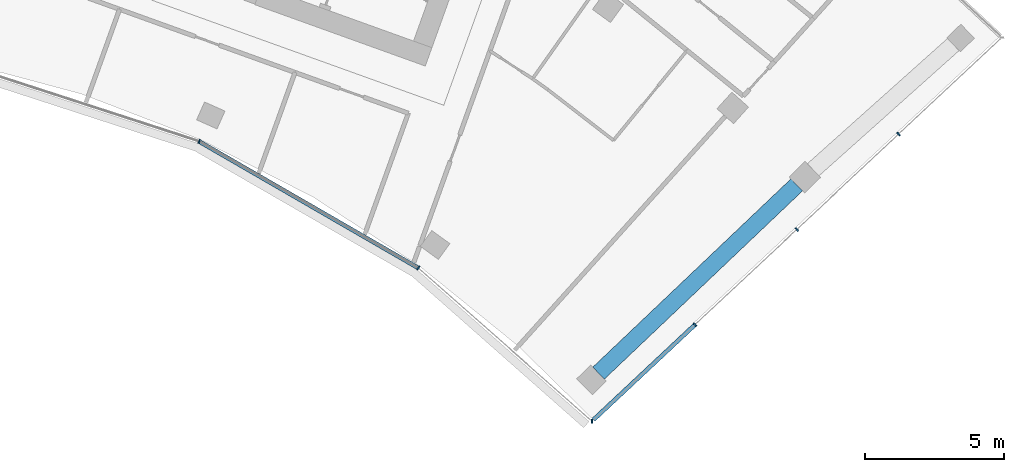
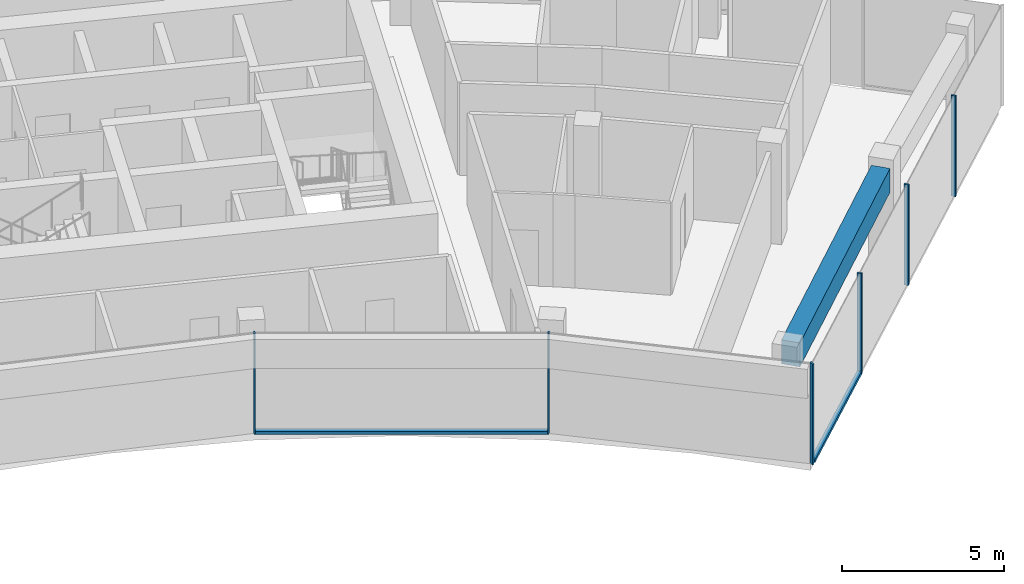
# One storey, part 8 of 19: 8 members, 1 beam, 2 elements without a shape of their own.
"""IFC4 building model written with IfcOpenShell, lengths in metres."""

from ifc_helpers import new_model, si_unit, direction, frame, origin, origin_2d, place, context, subcontext, project, spatial, rectangle, extrude, material, layer, layer_set, material_profile, profile_set, type_object, element, aggregate, save


model = new_model("IFC4")

# Units and contexts
model_context = context("Model", 3, precision=1e-05, world=origin(), true_north=direction((0.0, 1.0)))
body_context = subcontext(model_context, "Body", "Model", "MODEL_VIEW")
ifc_project = project(units=[si_unit("LENGTHUNIT", "METRE"), si_unit("AREAUNIT", "SQUARE_METRE"), si_unit("VOLUMEUNIT", "CUBIC_METRE"), si_unit("PLANEANGLEUNIT", "RADIAN"), si_unit("MASSUNIT", "GRAM", prefix="KILO")], contexts=[model_context])

# Site, building, storey
site_placement = place(None, origin())
site = spatial("IfcSite", under=ifc_project, at=site_placement, CompositionType="ELEMENT")
building_placement = place(site_placement, origin())
building = spatial("IfcBuilding", under=site, at=building_placement, Name="Stone Belt Terrace Tower", CompositionType="ELEMENT")
storey_placement = place(building_placement, frame((0.0, 0.0, 280.800048828125)))
storey = spatial("IfcBuildingStorey", under=building, at=storey_placement, Name="L68", CompositionType="ELEMENT", Elevation=280.800048828125)

# Curtain wall, members
ifc_material_1 = material(Name="Aluminium 6063-T6 anodised frame", Category="aluminium")
ifc_layer_1 = layer(ifc_material_1, 0.14990234375)
ifc_layer_set_1 = layer_set([ifc_layer_1], Name="CW-B unitised concave-face curtain wall")
curtain_wall_type_1 = type_object("IfcCurtainWallType", Name="CW-B unitised concave-face curtain wall", PredefinedType="NOTDEFINED", material=ifc_layer_set_1)
curtain_wall_1_placement = place(storey_placement, origin())
curtain_wall_1 = element("IfcCurtainWall", 1, at=curtain_wall_1_placement, inside=storey, type_object=curtain_wall_type_1, Name="CW-B concave face L68", PredefinedType="NOTDEFINED")
ifc_material_profile_1 = material_profile(ifc_material_1, rectangle(XDim=0.14990234375, YDim=0.050048828125, at=origin_2d()), Name="Aluminium 6063-T6 50x150")
ifc_profile_set_1 = profile_set([ifc_material_profile_1], Name="Aluminium 6063-T6 anodised frame")
member_type_1 = type_object("IfcMemberType", Name="CW-B mullion 50 x 150", PredefinedType="MULLION", material=ifc_profile_set_1)
member_1_placement = place(storey_placement, frame((17.662353515625, 39.67041015625, 0.0), z_axis=(0.0, 0.0, 1.0), x_axis=(0.406736643076, 0.913545457643, 0.0)))
member_1 = element("IfcMember", 2, at=member_1_placement, type_object=member_type_1, Name="CW-B mullion 7", PredefinedType="MULLION", context=body_context, shape_type="SweptSolid", body=[
    extrude(rectangle(XDim=0.14990234375, YDim=0.050048828125, at=origin_2d()), origin(), (0.0, 0.0, 1.0), 3.800048828125),
])
member_2_placement = place(storey_placement, frame((25.524658203125, 35.131103515625, 0.0), z_axis=(0.0, 0.0, 1.0), x_axis=(0.583818854632, 0.811883947973, 0.0)))
member_2 = element("IfcMember", 3, at=member_2_placement, type_object=member_type_1, Name="CW-B mullion 8", PredefinedType="MULLION", context=body_context, shape_type="SweptSolid", body=[
    extrude(rectangle(XDim=0.14990234375, YDim=0.050048828125, at=origin_2d()), origin(), (0.0, 0.0, 1.0), 3.800048828125),
])
ifc_material_profile_2 = material_profile(ifc_material_1, rectangle(XDim=0.14990234375, YDim=0.1201171875, at=origin_2d()), Name="Aluminium 6063-T6 150x120")
ifc_profile_set_2 = profile_set([ifc_material_profile_2], Name="Aluminium 6063-T6 anodised frame")
member_type_2 = type_object("IfcMemberType", Name="CW-B transom 120 x 150", PredefinedType="USERDEFINED", material=ifc_profile_set_2)
member_3_placement = place(storey_placement, frame((17.690673828125, 39.654052734375, 0.06005859375), z_axis=(0.866020948727, -0.500007716307, 0.0), x_axis=(0.500007716307, 0.866020948727, 0.0)))
member_3 = element("IfcMember", 4, at=member_3_placement, type_object=member_type_2, Name="CW-B transom 7.1", ObjectType="TRANSOM", PredefinedType="USERDEFINED", context=body_context, shape_type="SweptSolid", body=[
    extrude(rectangle(XDim=0.14990234375, YDim=0.1201171875, at=origin_2d()), origin(), (0.0, 0.0, 1.0), 9.013427734375),
])
aggregate(curtain_wall_1, [member_1, member_2, member_3])

ifc_layer_2 = layer(ifc_material_1, 0.14990234375)
ifc_layer_set_2 = layer_set([ifc_layer_2], Name="CW-C stick curtain wall, horn ends and notches")
curtain_wall_type_2 = type_object("IfcCurtainWallType", Name="CW-C stick curtain wall, horn ends and notches", PredefinedType="NOTDEFINED", material=ifc_layer_set_2)
curtain_wall_2_placement = place(storey_placement, origin())
curtain_wall_2 = element("IfcCurtainWall", 5, at=curtain_wall_2_placement, inside=storey, type_object=curtain_wall_type_2, Name="CW-C end face L68", PredefinedType="NOTDEFINED")
ifc_material_profile_3 = material_profile(ifc_material_1, rectangle(XDim=0.14990234375, YDim=0.06005859375, at=origin_2d()), Name="Aluminium 6063-T6 60x150")
ifc_profile_set_3 = profile_set([ifc_material_profile_3], Name="Aluminium 6063-T6 anodised frame")
member_type_3 = type_object("IfcMemberType", Name="CW-C mullion 60 x 150", PredefinedType="MULLION", material=ifc_profile_set_3)
member_4_placement = place(storey_placement, frame((31.75244140625, 29.633056640625, 0.0), z_axis=(0.0, 0.0, 1.0), x_axis=(-0.014681639593, 0.999892218921, 0.0)))
member_4 = element("IfcMember", 6, at=member_4_placement, type_object=member_type_3, Name="CW-C mullion 1", PredefinedType="MULLION", context=body_context, shape_type="SweptSolid", body=[
    extrude(rectangle(XDim=0.14990234375, YDim=0.06005859375, at=origin_2d()), origin(), (0.0, 0.0, 1.0), 3.800048828125),
])
member_5_placement = place(storey_placement, frame((35.45166015625, 33.097412109375, 0.0), z_axis=(0.0, 0.0, 1.0), x_axis=(-0.683549434973, 0.729904219708, 0.0)))
member_5 = element("IfcMember", 7, at=member_5_placement, type_object=member_type_3, Name="CW-C mullion 2", PredefinedType="MULLION", context=body_context, shape_type="SweptSolid", body=[
    extrude(rectangle(XDim=0.14990234375, YDim=0.06005859375, at=origin_2d()), origin(), (0.0, 0.0, 1.0), 3.800048828125),
])
member_6_placement = place(storey_placement, frame((39.10107421875, 36.51513671875, 0.0), z_axis=(0.0, 0.0, 1.0), x_axis=(-0.683549434973, 0.729904219708, 0.0)))
member_6 = element("IfcMember", 8, at=member_6_placement, type_object=member_type_3, Name="CW-C mullion 3", PredefinedType="MULLION", context=body_context, shape_type="SweptSolid", body=[
    extrude(rectangle(XDim=0.14990234375, YDim=0.06005859375, at=origin_2d()), origin(), (0.0, 0.0, 1.0), 3.800048828125),
])
member_7_placement = place(storey_placement, frame((42.750732421875, 39.932861328125, 0.0), z_axis=(0.0, 0.0, 1.0), x_axis=(-0.683549434973, 0.729904219708, 0.0)))
member_7 = element("IfcMember", 9, at=member_7_placement, type_object=member_type_3, Name="CW-C mullion 4", PredefinedType="MULLION", context=body_context, shape_type="SweptSolid", body=[
    extrude(rectangle(XDim=0.14990234375, YDim=0.06005859375, at=origin_2d()), origin(), (0.0, 0.0, 1.0), 3.800048828125),
])
ifc_material_profile_4 = material_profile(ifc_material_1, rectangle(XDim=0.14990234375, YDim=0.1201171875, at=origin_2d()), Name="Aluminium 6063-T6 150x120")
ifc_profile_set_4 = profile_set([ifc_material_profile_4], Name="Aluminium 6063-T6 anodised frame")
member_type_4 = type_object("IfcMemberType", Name="CW-C transom 120 x 150", PredefinedType="USERDEFINED", material=ifc_profile_set_4)
member_8_placement = place(storey_placement, frame((31.805419921875, 29.6826171875, 0.06005859375), z_axis=(0.72988516347, 0.683569782938, 0.0), x_axis=(-0.683569782938, 0.72988516347, 0.0)))
member_8 = element("IfcMember", 10, at=member_8_placement, type_object=member_type_4, Name="CW-C transom 1.1", ObjectType="TRANSOM", PredefinedType="USERDEFINED", context=body_context, shape_type="SweptSolid", body=[
    extrude(rectangle(XDim=0.14990234375, YDim=0.1201171875, at=origin_2d()), origin(), (0.0, 0.0, 1.0), 4.965576171875),
])
aggregate(curtain_wall_2, [member_4, member_5, member_6, member_7, member_8])

# Beam
ifc_material_2 = material(Name="Concrete B60", Category="concrete")
ifc_material_profile_5 = material_profile(ifc_material_2, rectangle(XDim=0.60009765625, YDim=0.89990234375, at=origin_2d()), Name="RC 600x900")
ifc_profile_set_5 = profile_set([ifc_material_profile_5], Name="Concrete B60")
beam_type = type_object("IfcBeamType", Name="Edge beam RC 600x900 B60", PredefinedType="SPANDREL", material=ifc_profile_set_5)
beam_placement = place(storey_placement, frame((31.98876953125, 31.35791015625, 3.030029296875), z_axis=(0.72502367576, 0.688723942946, 0.0), x_axis=(-0.688723942946, 0.72502367576, 0.0)))
element("IfcBeam", 11, at=beam_placement, inside=storey, type_object=beam_type, Name="Edge beam L68 B P to Q", PredefinedType="SPANDREL", context=body_context, shape_type="SweptSolid", body=[
    extrude(rectangle(XDim=0.60009765625, YDim=0.89990234375, at=origin_2d()), origin(), (0.0, 0.0, 1.0), 9.80615234375),
])

save(model, "model.ifc")
